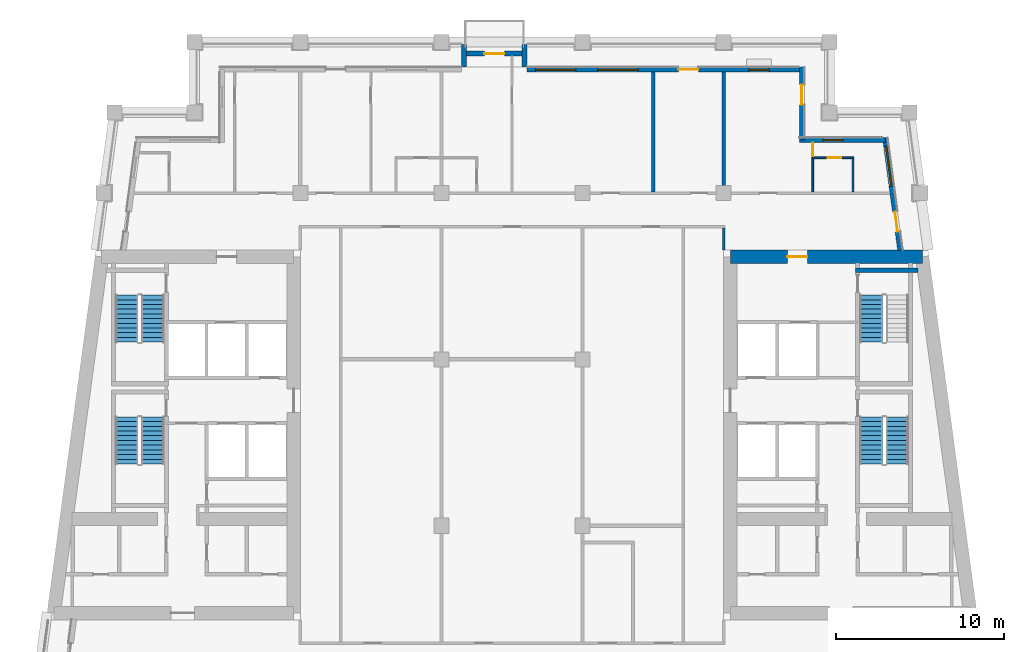
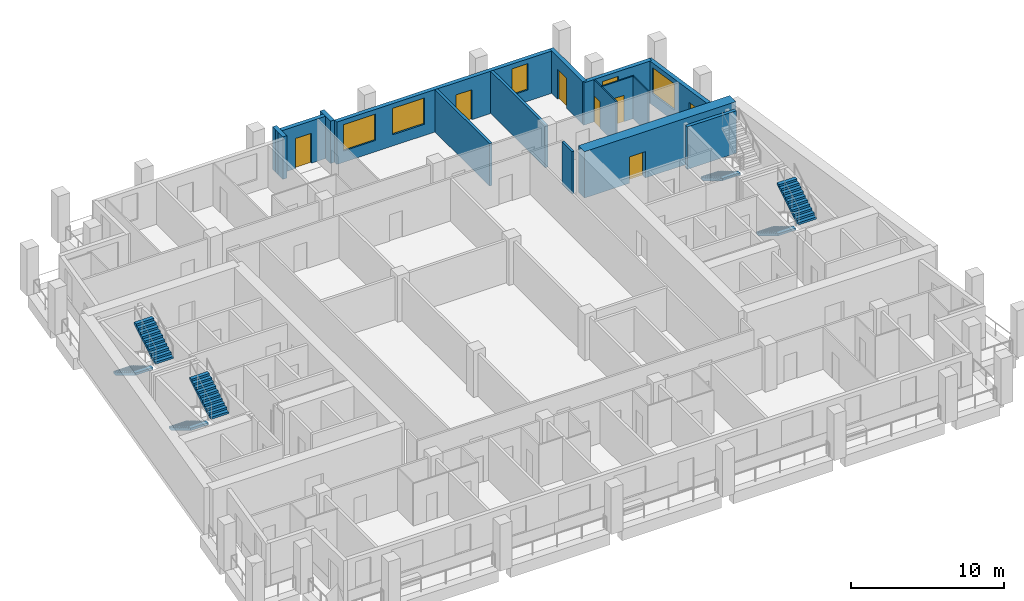
# One storey, part 7 of 13: 15 walls, 7 doors, 7 stair flights, 5 windows, 12 openings, 4 elements without a shape of their own.
"""IFC4 building model written with IfcOpenShell, lengths in metres."""

from ifc_helpers import new_model, si_unit, direction, frame, frame_2d, origin, place, context, subcontext, project, spatial, polyline, rectangle, outline, extrude, material, layer, layer_set, type_object, element, fill, aggregate, save


model = new_model("IFC4")

# Units and contexts
model_context = context("Model", 3, precision=1e-05, world=origin(), true_north=direction((0.0, 1.0)))
body_context = subcontext(model_context, "Body", "Model", "MODEL_VIEW")
ifc_project = project(units=[si_unit("LENGTHUNIT", "METRE"), si_unit("AREAUNIT", "SQUARE_METRE"), si_unit("VOLUMEUNIT", "CUBIC_METRE"), si_unit("PLANEANGLEUNIT", "RADIAN"), si_unit("MASSUNIT", "GRAM", prefix="KILO")], contexts=[model_context])

# Site, building, storey
site_placement = place(None, origin())
site = spatial("IfcSite", under=ifc_project, at=site_placement, CompositionType="ELEMENT")
building_placement = place(site_placement, origin())
building = spatial("IfcBuilding", under=site, at=building_placement, Name="Candeia Pilgrim Tower and Theatre", CompositionType="ELEMENT")
storey_placement = place(building_placement, frame((0.0, 0.0, 239.199951171875)))
storey = spatial("IfcBuildingStorey", under=building, at=storey_placement, Name="L58", CompositionType="ELEMENT", Elevation=239.199951171875)

# Wall, opening, door
ifc_material_1 = material(Name="Concrete C50/60", Category="concrete")
ifc_layer_1 = layer(ifc_material_1, 0.800048828125)
ifc_layer_set_1 = layer_set([ifc_layer_1], Name="Core wall 800 C50/60")
wall_type_1 = type_object("IfcWallType", Name="Core wall 800 C50/60", PredefinedType="SHEAR", material=ifc_layer_set_1)
wall_1_placement = place(storey_placement, frame((126.39990234375, 132.0, 0.0), z_axis=(0.0, 0.0, 1.0), x_axis=(1.0, 0.0, 0.0)))
wall_1 = element("IfcWall", 1, at=wall_1_placement, inside=storey, type_object=wall_type_1, Name="Core wall E1", PredefinedType="SHEAR", context=body_context, shape_type="SweptSolid", body=[
    extrude(rectangle(XDim=11.419677734375, YDim=0.800048828125, at=frame_2d((5.7099609375, 0.0))), origin(), (0.0, 0.0, 1.0), 3.699951171875),
])
opening_1_placement = place(wall_1_placement, frame((3.386474609375, 0.0, 0.0)))
opening_1 = element("IfcOpeningElement", 2, at=opening_1_placement, cuts=wall_1, Name="Opening L58-D060", PredefinedType="OPENING", context=body_context, shape_type="SweptSolid", body=[
    extrude(rectangle(XDim=1.199951171875, YDim=2.10009765625, at=frame_2d((0.60009765625, 1.050048828125))), frame((0.0, 0.41015625, 0.0), z_axis=(0.0, -1.0, 0.0), x_axis=(1.0, 0.0, 0.0)), (0.0, 0.0, 1.0), 0.820068359375),
])
ifc_material_2 = material(Name="Steel fire door set", Category="steel")
door_type_1 = type_object("IfcDoorType", Name="D-1200-FD60", OperationType="NOTDEFINED", PredefinedType="DOOR", material=ifc_material_2)
door_1_placement = place(opening_1_placement, origin())
door_1 = element("IfcDoor", 3, at=door_1_placement, inside=storey, type_object=door_type_1, Name="Door L58-D060", OperationType="SINGLE_SWING_RIGHT", OverallHeight=2.10009765625, OverallWidth=1.199951171875, PredefinedType="DOOR", context=body_context, shape_type="SweptSolid", body=[
    extrude(rectangle(XDim=1.199951171875, YDim=2.10009765625, at=frame_2d((0.60009765625, 1.050048828125))), frame((0.0, 0.02490234375, 0.0), z_axis=(0.0, -1.0, 0.0), x_axis=(1.0, 0.0, 0.0)), (0.0, 0.0, 1.0), 0.050048828125),
])
fill(opening_1, door_1)

# Wall, openings, door, window
ifc_material_3 = material(Name="Ceramic block masonry", Category="masonry")
ifc_layer_2 = layer(ifc_material_3, 0.300048828125)
ifc_layer_set_2 = layer_set([ifc_layer_2], Name="EW1 glazing-line wall 300")
wall_type_2 = type_object("IfcWallType", Name="EW1 glazing-line wall 300", PredefinedType="SOLIDWALL", material=ifc_layer_set_2)
wall_2_placement = place(storey_placement, frame((136.50439453125, 132.39990234375, 0.0), z_axis=(0.0, 0.0, 1.0), x_axis=(-0.133399697462, 0.99106231929, 0.0)))
wall_2 = element("IfcWall", 4, at=wall_2_placement, inside=storey, type_object=wall_type_2, Name="External wall L58-3.1", PredefinedType="SOLIDWALL", context=body_context, shape_type="SweptSolid", body=[
    extrude(rectangle(XDim=6.740478515625, YDim=0.300048828125, at=frame_2d((3.3701171875, 0.0))), origin(), (0.0, 0.0, 1.0), 3.380126953125),
])
opening_2_placement = place(wall_2_placement, frame((1.115234375, 0.0, 0.0)))
opening_2 = element("IfcOpeningElement", 5, at=opening_2_placement, cuts=wall_2, Name="Opening L58-ED559", PredefinedType="OPENING", context=body_context, shape_type="SweptSolid", body=[
    extrude(rectangle(XDim=1.199951171875, YDim=2.39990234375, at=frame_2d((0.60009765625, 1.199951171875))), frame((0.0, 0.16015625, 0.0), z_axis=(0.0, -1.0, 0.0), x_axis=(1.0, 0.0, 0.0)), (0.0, 0.0, 1.0), 0.320068359375),
])
opening_3_placement = place(wall_2_placement, frame((3.83544921875, 0.0, 0.89990234375)))
opening_3 = element("IfcOpeningElement", 6, at=opening_3_placement, cuts=wall_2, Name="Opening W-A", PredefinedType="OPENING", context=body_context, shape_type="SweptSolid", body=[
    extrude(rectangle(XDim=2.39990234375, YDim=2.10009765625, at=frame_2d((1.199951171875, 1.050048828125))), frame((0.0, 0.16015625, 0.0), z_axis=(0.0, -1.0, 0.0), x_axis=(1.0, 0.0, 0.0)), (0.0, 0.0, 1.0), 0.320068359375),
])
ifc_material_4 = material(Name="Aluminium framed glazed door", Category="aluminium")
door_type_2 = type_object("IfcDoorType", Name="Loggia door 1200x2400", OperationType="DOUBLE_DOOR_SINGLE_SWING", PredefinedType="DOOR", material=ifc_material_4)
door_2_placement = place(opening_2_placement, origin())
door_2 = element("IfcDoor", 7, at=door_2_placement, inside=storey, type_object=door_type_2, Name="Loggia door L58-ED559", OperationType="DOUBLE_DOOR_SINGLE_SWING", OverallHeight=2.39990234375, OverallWidth=1.199951171875, PredefinedType="DOOR", context=body_context, shape_type="SweptSolid", body=[
    extrude(rectangle(XDim=1.199951171875, YDim=2.39990234375, at=frame_2d((0.60009765625, 1.199951171875))), frame((0.0, 0.02490234375, 0.0), z_axis=(0.0, -1.0, 0.0), x_axis=(1.0, 0.0, 0.0)), (0.0, 0.0, 1.0), 0.050048828125),
])
fill(opening_2, door_2)
ifc_material_5 = material(Name="Aluminium framed double glazing", Category="aluminium")
window_type_1 = type_object("IfcWindowType", Name="W-A window 2400x2100", PartitioningType="DOUBLE_PANEL_VERTICAL", PredefinedType="WINDOW", material=ifc_material_5)
window_1_placement = place(opening_3_placement, origin())
window_1 = element("IfcWindow", 8, at=window_1_placement, inside=storey, type_object=window_type_1, Name="Window W-A L58", OverallHeight=2.10009765625, OverallWidth=2.39990234375, PartitioningType="SINGLE_PANEL", PredefinedType="WINDOW", context=body_context, shape_type="SweptSolid", body=[
    extrude(rectangle(XDim=2.39990234375, YDim=2.10009765625, at=frame_2d((1.199951171875, 1.050048828125))), frame((0.0, 0.030029296875, 0.0), z_axis=(0.0, -1.0, 0.0), x_axis=(1.0, 0.0, 0.0)), (0.0, 0.0, 1.0), 0.06005859375),
])
fill(opening_3, window_1)

# Wall, opening, window
wall_3_placement = place(storey_placement, frame((135.62255859375, 138.949951171875, 0.0), z_axis=(0.0, 0.0, 1.0), x_axis=(-1.0, 0.0, 0.0)))
wall_3 = element("IfcWall", 9, at=wall_3_placement, inside=storey, type_object=wall_type_2, Name="External wall L58-4.0", PredefinedType="SOLIDWALL", context=body_context, shape_type="SweptSolid", body=[
    extrude(rectangle(XDim=5.12255859375, YDim=0.300048828125, at=frame_2d((2.561279296875, 0.0))), origin(), (0.0, 0.0, 1.0), 3.380126953125),
])
opening_4_placement = place(wall_3_placement, frame((2.522705078125, 0.0, 0.89990234375)))
opening_4 = element("IfcOpeningElement", 10, at=opening_4_placement, cuts=wall_3, Name="Opening W-B", PredefinedType="OPENING", context=body_context, shape_type="SweptSolid", body=[
    extrude(rectangle(XDim=1.199951171875, YDim=2.10009765625, at=frame_2d((0.60009765625, 1.050048828125))), frame((0.0, 0.16015625, 0.0), z_axis=(0.0, -1.0, 0.0), x_axis=(1.0, 0.0, 0.0)), (0.0, 0.0, 1.0), 0.320068359375),
])
window_type_2 = type_object("IfcWindowType", Name="W-B window 1200x2100", PartitioningType="SINGLE_PANEL", PredefinedType="WINDOW", material=ifc_material_5)
window_2_placement = place(opening_4_placement, origin())
window_2 = element("IfcWindow", 11, at=window_2_placement, inside=storey, type_object=window_type_2, Name="Window W-B L58", OverallHeight=2.10009765625, OverallWidth=1.199951171875, PartitioningType="SINGLE_PANEL", PredefinedType="WINDOW", context=body_context, shape_type="SweptSolid", body=[
    extrude(rectangle(XDim=1.199951171875, YDim=2.10009765625, at=frame_2d((0.60009765625, 1.050048828125))), frame((0.0, 0.030029296875, 0.0), z_axis=(0.0, -1.0, 0.0), x_axis=(1.0, 0.0, 0.0)), (0.0, 0.0, 1.0), 0.06005859375),
])
fill(opening_4, window_2)

# Wall, opening, door
wall_4_placement = place(storey_placement, frame((130.64990234375, 138.949951171875, 0.0), z_axis=(0.0, 0.0, 1.0), x_axis=(0.0, 1.0, 0.0)))
wall_4 = element("IfcWall", 12, at=wall_4_placement, inside=storey, type_object=wall_type_2, Name="External wall L58-5.0", PredefinedType="SOLIDWALL", context=body_context, shape_type="SweptSolid", body=[
    extrude(rectangle(XDim=4.35009765625, YDim=0.300048828125, at=frame_2d((2.175048828125, 0.0))), origin(), (0.0, 0.0, 1.0), 3.380126953125),
])
opening_5_placement = place(wall_4_placement, frame((2.10009765625, 0.0, 0.0)))
opening_5 = element("IfcOpeningElement", 13, at=opening_5_placement, cuts=wall_4, Name="Opening L58-ED560", PredefinedType="OPENING", context=body_context, shape_type="SweptSolid", body=[
    extrude(rectangle(XDim=1.199951171875, YDim=2.39990234375, at=frame_2d((0.60009765625, 1.199951171875))), frame((0.0, 0.16015625, 0.0), z_axis=(0.0, -1.0, 0.0), x_axis=(1.0, 0.0, 0.0)), (0.0, 0.0, 1.0), 0.320068359375),
])
door_3_placement = place(opening_5_placement, origin())
door_3 = element("IfcDoor", 14, at=door_3_placement, inside=storey, type_object=door_type_2, Name="Loggia door L58-ED560", OperationType="DOUBLE_DOOR_SINGLE_SWING", OverallHeight=2.39990234375, OverallWidth=1.199951171875, PredefinedType="DOOR", context=body_context, shape_type="SweptSolid", body=[
    extrude(rectangle(XDim=1.199951171875, YDim=2.39990234375, at=frame_2d((0.60009765625, 1.199951171875))), frame((0.0, 0.02490234375, 0.0), z_axis=(0.0, -1.0, 0.0), x_axis=(1.0, 0.0, 0.0)), (0.0, 0.0, 1.0), 0.050048828125),
])
fill(opening_5, door_3)

# Wall, openings, door, windows
wall_5_placement = place(storey_placement, frame((130.64990234375, 143.14990234375, 0.0), z_axis=(0.0, 0.0, 1.0), x_axis=(-1.0, 0.0, 0.0)))
wall_5 = element("IfcWall", 15, at=wall_5_placement, inside=storey, type_object=wall_type_2, Name="External wall L58-6.0", PredefinedType="SOLIDWALL", context=body_context, shape_type="SweptSolid", body=[
    extrude(rectangle(XDim=16.349853515625, YDim=0.300048828125, at=frame_2d((8.1748046875, 0.0))), origin(), (0.0, 0.0, 1.0), 3.380126953125),
])
opening_6_placement = place(wall_5_placement, frame((1.949951171875, 0.0, 0.89990234375)))
opening_6 = element("IfcOpeningElement", 16, at=opening_6_placement, cuts=wall_5, Name="Opening W-B", PredefinedType="OPENING", context=body_context, shape_type="SweptSolid", body=[
    extrude(rectangle(XDim=1.199951171875, YDim=2.10009765625, at=frame_2d((0.60009765625, 1.050048828125))), frame((0.0, 0.16015625, 0.0), z_axis=(0.0, -1.0, 0.0), x_axis=(1.0, 0.0, 0.0)), (0.0, 0.0, 1.0), 0.320068359375),
])
opening_7_placement = place(wall_5_placement, frame((6.14990234375, 0.0, 0.0)))
opening_7 = element("IfcOpeningElement", 17, at=opening_7_placement, cuts=wall_5, Name="Opening L58-ED561", PredefinedType="OPENING", context=body_context, shape_type="SweptSolid", body=[
    extrude(rectangle(XDim=1.199951171875, YDim=2.39990234375, at=frame_2d((0.60009765625, 1.199951171875))), frame((0.0, 0.16015625, 0.0), z_axis=(0.0, -1.0, 0.0), x_axis=(1.0, 0.0, 0.0)), (0.0, 0.0, 1.0), 0.320068359375),
])
opening_8_placement = place(wall_5_placement, frame((9.75, 0.0, 0.89990234375)))
opening_8 = element("IfcOpeningElement", 18, at=opening_8_placement, cuts=wall_5, Name="Opening W-A", PredefinedType="OPENING", context=body_context, shape_type="SweptSolid", body=[
    extrude(rectangle(XDim=2.39990234375, YDim=2.10009765625, at=frame_2d((1.199951171875, 1.050048828125))), frame((0.0, 0.16015625, 0.0), z_axis=(0.0, -1.0, 0.0), x_axis=(1.0, 0.0, 0.0)), (0.0, 0.0, 1.0), 0.320068359375),
])
opening_9_placement = place(wall_5_placement, frame((13.449951171875, 0.0, 0.89990234375)))
opening_9 = element("IfcOpeningElement", 19, at=opening_9_placement, cuts=wall_5, Name="Opening W-A", PredefinedType="OPENING", context=body_context, shape_type="SweptSolid", body=[
    extrude(rectangle(XDim=2.39990234375, YDim=2.10009765625, at=frame_2d((1.199951171875, 1.050048828125))), frame((0.0, 0.16015625, 0.0), z_axis=(0.0, -1.0, 0.0), x_axis=(1.0, 0.0, 0.0)), (0.0, 0.0, 1.0), 0.320068359375),
])
door_4_placement = place(opening_7_placement, origin())
door_4 = element("IfcDoor", 20, at=door_4_placement, inside=storey, type_object=door_type_2, Name="Loggia door L58-ED561", OperationType="DOUBLE_DOOR_SINGLE_SWING", OverallHeight=2.39990234375, OverallWidth=1.199951171875, PredefinedType="DOOR", context=body_context, shape_type="SweptSolid", body=[
    extrude(rectangle(XDim=1.199951171875, YDim=2.39990234375, at=frame_2d((0.60009765625, 1.199951171875))), frame((0.0, 0.02490234375, 0.0), z_axis=(0.0, -1.0, 0.0), x_axis=(1.0, 0.0, 0.0)), (0.0, 0.0, 1.0), 0.050048828125),
])
fill(opening_7, door_4)
window_3_placement = place(opening_8_placement, origin())
window_3 = element("IfcWindow", 21, at=window_3_placement, inside=storey, type_object=window_type_1, Name="Window W-A L58", OverallHeight=2.10009765625, OverallWidth=2.39990234375, PartitioningType="SINGLE_PANEL", PredefinedType="WINDOW", context=body_context, shape_type="SweptSolid", body=[
    extrude(rectangle(XDim=2.39990234375, YDim=2.10009765625, at=frame_2d((1.199951171875, 1.050048828125))), frame((0.0, 0.030029296875, 0.0), z_axis=(0.0, -1.0, 0.0), x_axis=(1.0, 0.0, 0.0)), (0.0, 0.0, 1.0), 0.06005859375),
])
fill(opening_8, window_3)
window_4_placement = place(opening_9_placement, origin())
window_4 = element("IfcWindow", 22, at=window_4_placement, inside=storey, type_object=window_type_1, Name="Window W-A L58", OverallHeight=2.10009765625, OverallWidth=2.39990234375, PartitioningType="SINGLE_PANEL", PredefinedType="WINDOW", context=body_context, shape_type="SweptSolid", body=[
    extrude(rectangle(XDim=2.39990234375, YDim=2.10009765625, at=frame_2d((1.199951171875, 1.050048828125))), frame((0.0, 0.030029296875, 0.0), z_axis=(0.0, -1.0, 0.0), x_axis=(1.0, 0.0, 0.0)), (0.0, 0.0, 1.0), 0.06005859375),
])
fill(opening_9, window_4)
window_5_placement = place(opening_6_placement, origin())
window_5 = element("IfcWindow", 23, at=window_5_placement, inside=storey, type_object=window_type_2, Name="Window W-B L58", OverallHeight=2.10009765625, OverallWidth=1.199951171875, PartitioningType="SINGLE_PANEL", PredefinedType="WINDOW", context=body_context, shape_type="SweptSolid", body=[
    extrude(rectangle(XDim=1.199951171875, YDim=2.10009765625, at=frame_2d((0.60009765625, 1.050048828125))), frame((0.0, 0.030029296875, 0.0), z_axis=(0.0, -1.0, 0.0), x_axis=(1.0, 0.0, 0.0)), (0.0, 0.0, 1.0), 0.06005859375),
])
fill(opening_6, window_5)

# Walls
ifc_layer_3 = layer(ifc_material_3, 0.300048828125)
ifc_layer_set_3 = layer_set([ifc_layer_3], Name="EW2 entrance infill wall 300")
wall_type_3 = type_object("IfcWallType", Name="EW2 entrance infill wall 300", PredefinedType="SOLIDWALL", material=ifc_layer_set_3)
for number, where, z_axis, x_axis, name in (
    (24, (114.14990234375, 143.300048828125, 0.0), (0.0, 0.0, 1.0), (0.0, 1.0, 0.0), "Alcove wall L58"),
    (25, (110.550048828125, 143.300048828125, 0.0), (0.0, 0.0, 1.0), (0.0, 1.0, 0.0), "Alcove wall L58"),
):
    element("IfcWall", number, at=place(storey_placement, frame(where, z_axis=z_axis, x_axis=x_axis)), inside=storey, type_object=wall_type_3, Name=name, PredefinedType="SOLIDWALL", context=body_context, shape_type="SweptSolid", body=[
        extrude(rectangle(XDim=1.349853515625, YDim=0.300048828125, at=frame_2d((0.6748046875, 0.0))), origin(), (0.0, 0.0, 1.0), 3.380126953125),
    ])

# Wall, opening, door
wall_6_placement = place(storey_placement, frame((114.300048828125, 144.10009765625, 0.0), z_axis=(0.0, 0.0, 1.0), x_axis=(-1.0, 0.0, 0.0)))
wall_6 = element("IfcWall", 26, at=wall_6_placement, inside=storey, type_object=wall_type_3, Name="Alcove wall L58", PredefinedType="SOLIDWALL", context=body_context, shape_type="SweptSolid", body=[
    extrude(rectangle(XDim=3.900146484375, YDim=0.300048828125, at=frame_2d((1.9501953125, 0.0))), origin(), (0.0, 0.0, 1.0), 3.380126953125),
])
opening_10_placement = place(wall_6_placement, frame((1.35009765625, 0.0, 0.0)))
opening_10 = element("IfcOpeningElement", 27, at=opening_10_placement, cuts=wall_6, Name="Opening L58-ED563", PredefinedType="OPENING", context=body_context, shape_type="SweptSolid", body=[
    extrude(rectangle(XDim=1.199951171875, YDim=2.39990234375, at=frame_2d((0.60009765625, 1.199951171875))), frame((0.0, 0.16015625, 0.0), z_axis=(0.0, -1.0, 0.0), x_axis=(1.0, 0.0, 0.0)), (0.0, 0.0, 1.0), 0.320068359375),
])
door_5_placement = place(opening_10_placement, origin())
door_5 = element("IfcDoor", 28, at=door_5_placement, inside=storey, type_object=door_type_2, Name="Balcony door L58-ED563", OperationType="DOUBLE_DOOR_SINGLE_SWING", OverallHeight=2.39990234375, OverallWidth=1.199951171875, PredefinedType="DOOR", context=body_context, shape_type="SweptSolid", body=[
    extrude(rectangle(XDim=1.199951171875, YDim=2.39990234375, at=frame_2d((0.60009765625, 1.199951171875))), frame((0.0, 0.02490234375, 0.0), z_axis=(0.0, -1.0, 0.0), x_axis=(1.0, 0.0, 0.0)), (0.0, 0.0, 1.0), 0.050048828125),
])
fill(opening_10, door_5)

ifc_material_6 = material(Name="Gypsum board partition on steel studs", Category="steel")
ifc_layer_4 = layer(ifc_material_6, 0.10009765625)
ifc_layer_set_4 = layer_set([ifc_layer_4], Name="PW-100 room partition")
wall_type_4 = type_object("IfcWallType", Name="PW-100 room partition", PredefinedType="PARTITIONING", material=ifc_layer_set_4)
wall_7_placement = place(storey_placement, frame((131.300048828125, 137.89990234375, 0.0), z_axis=(0.0, 0.0, 1.0), x_axis=(1.0, 0.0, 0.0)))
wall_7 = element("IfcWall", 29, at=wall_7_placement, inside=storey, type_object=wall_type_4, Name="Room partition L58-045", PredefinedType="PARTITIONING", context=body_context, shape_type="SweptSolid", body=[
    extrude(rectangle(XDim=2.449951171875, YDim=0.10009765625, at=frame_2d((1.22509765625, 0.0))), origin(), (0.0, 0.0, 1.0), 3.380126953125),
])
opening_11_placement = place(wall_7_placement, frame((0.889892578125, 0.0, 0.0)))
opening_11 = element("IfcOpeningElement", 30, at=opening_11_placement, cuts=wall_7, Name="Opening L58-D048", PredefinedType="OPENING", context=body_context, shape_type="SweptSolid", body=[
    extrude(rectangle(XDim=0.800048828125, YDim=2.10009765625, at=frame_2d((0.39990234375, 1.050048828125))), frame((0.0, 0.06005859375, 0.0), z_axis=(0.0, -1.0, 0.0), x_axis=(1.0, 0.0, 0.0)), (0.0, 0.0, 1.0), 0.1201171875),
])
ifc_material_7 = material(Name="Timber door leaf", Category="wood")
door_type_3 = type_object("IfcDoorType", Name="D-800", OperationType="NOTDEFINED", PredefinedType="DOOR", material=ifc_material_7)
door_6_placement = place(opening_11_placement, origin())
door_6 = element("IfcDoor", 31, at=door_6_placement, inside=storey, type_object=door_type_3, Name="Door L58-D048", OperationType="SINGLE_SWING_RIGHT", OverallHeight=2.10009765625, OverallWidth=0.800048828125, PredefinedType="DOOR", context=body_context, shape_type="SweptSolid", body=[
    extrude(rectangle(XDim=0.800048828125, YDim=2.10009765625, at=frame_2d((0.39990234375, 1.050048828125))), frame((0.0, 0.02490234375, 0.0), z_axis=(0.0, -1.0, 0.0), x_axis=(1.0, 0.0, 0.0)), (0.0, 0.0, 1.0), 0.050048828125),
])
fill(opening_11, door_6)

wall_8_placement = place(storey_placement, frame((131.300048828125, 135.875, 0.0), z_axis=(0.0, 0.0, 1.0), x_axis=(0.0, 1.0, 0.0)))
wall_8 = element("IfcWall", 32, at=wall_8_placement, inside=storey, type_object=wall_type_4, Name="Room partition L58-101", PredefinedType="PARTITIONING", context=body_context, shape_type="SweptSolid", body=[
    extrude(rectangle(XDim=2.93505859375, YDim=0.10009765625, at=frame_2d((1.467529296875, 0.0))), origin(), (0.0, 0.0, 1.0), 3.380126953125),
])
opening_12_placement = place(wall_8_placement, frame((2.10498046875, 0.0, 0.0)))
opening_12 = element("IfcOpeningElement", 33, at=opening_12_placement, cuts=wall_8, Name="Opening L58-D047", PredefinedType="OPENING", context=body_context, shape_type="SweptSolid", body=[
    extrude(rectangle(XDim=0.800048828125, YDim=2.10009765625, at=frame_2d((0.39990234375, 1.050048828125))), frame((0.0, 0.06005859375, 0.0), z_axis=(0.0, -1.0, 0.0), x_axis=(1.0, 0.0, 0.0)), (0.0, 0.0, 1.0), 0.1201171875),
])
door_7_placement = place(opening_12_placement, origin())
door_7 = element("IfcDoor", 34, at=door_7_placement, inside=storey, type_object=door_type_3, Name="Door L58-D047", OperationType="SINGLE_SWING_LEFT", OverallHeight=2.10009765625, OverallWidth=0.800048828125, PredefinedType="DOOR", context=body_context, shape_type="SweptSolid", body=[
    extrude(rectangle(XDim=0.800048828125, YDim=2.10009765625, at=frame_2d((0.39990234375, 1.050048828125))), frame((0.0, 0.02490234375, 0.0), z_axis=(0.0, -1.0, 0.0), x_axis=(1.0, 0.0, 0.0)), (0.0, 0.0, 1.0), 0.050048828125),
])
fill(opening_12, door_7)

# Walls
wall_9_placement = place(storey_placement, frame((133.699951171875, 135.875, 0.0), z_axis=(0.0, 0.0, 1.0), x_axis=(0.0, 1.0, 0.0)))
element("IfcWall", 35, at=wall_9_placement, inside=storey, type_object=wall_type_4, Name="Room partition L58-107", PredefinedType="PARTITIONING", context=body_context, shape_type="SweptSolid", body=[
    extrude(rectangle(XDim=1.97509765625, YDim=0.10009765625, at=frame_2d((0.987548828125, 0.0))), origin(), (0.0, 0.0, 1.0), 3.380126953125),
])
ifc_layer_5 = layer(ifc_material_6, 0.14990234375)
ifc_layer_set_5 = layer_set([ifc_layer_5], Name="PW-150 unit wall")
wall_type_5 = type_object("IfcWallType", Name="PW-150 unit wall", PredefinedType="PARTITIONING", material=ifc_layer_set_5)
wall_10_placement = place(storey_placement, frame((126.0, 132.39990234375, 0.0), z_axis=(0.0, 0.0, 1.0), x_axis=(0.0, 1.0, 0.0)))
element("IfcWall", 36, at=wall_10_placement, inside=storey, type_object=wall_type_5, Name="Unit wall L58-096", PredefinedType="PARTITIONING", context=body_context, shape_type="SweptSolid", body=[
    extrude(rectangle(XDim=1.3251953125, YDim=0.14990234375, at=frame_2d((0.66259765625, 0.0))), origin(), (0.0, 0.0, 1.0), 3.380126953125),
])
ifc_layer_6 = layer(ifc_material_6, 0.199951171875)
ifc_layer_set_6 = layer_set([ifc_layer_6], Name="PW-200 party wall")
wall_type_6 = type_object("IfcWallType", Name="PW-200 party wall", PredefinedType="PARTITIONING", material=ifc_layer_set_6)
for number, where, z_axis, x_axis, name in (
    (37, (121.800048828125, 135.875, 0.0), (0.0, 0.0, 1.0), (0.0, 1.0, 0.0), "Party wall L58-092"),
    (38, (126.0, 135.875, 0.0), (0.0, 0.0, 1.0), (0.0, 1.0, 0.0), "Party wall L58-094"),
):
    element("IfcWall", number, at=place(storey_placement, frame(where, z_axis=z_axis, x_axis=x_axis)), inside=storey, type_object=wall_type_6, Name=name, PredefinedType="PARTITIONING", context=body_context, shape_type="SweptSolid", body=[
        extrude(rectangle(XDim=7.135009765625, YDim=0.199951171875, at=frame_2d((3.5673828125, 0.0))), origin(), (0.0, 0.0, 1.0), 3.380126953125),
    ])
ifc_material_8 = material(Name="Concrete C40/50", Category="concrete")
ifc_layer_7 = layer(ifc_material_8, 0.25)
ifc_layer_set_7 = layer_set([ifc_layer_7], Name="SW-250 stair wall")
wall_type_7 = type_object("IfcWallType", Name="SW-250 stair wall", PredefinedType="PARTITIONING", material=ifc_layer_set_7)
wall_11_placement = place(storey_placement, frame((133.847900390625, 131.199951171875, 0.0), z_axis=(0.0, 0.0, 1.0), x_axis=(1.0, 0.0, 0.0)))
element("IfcWall", 39, at=wall_11_placement, inside=storey, type_object=wall_type_7, Name="Stair wall L58-041", PredefinedType="PARTITIONING", context=body_context, shape_type="SweptSolid", body=[
    extrude(rectangle(XDim=3.705810546875, YDim=0.25, at=frame_2d((1.85302734375, 0.0))), origin(), (0.0, 0.0, 1.0), 3.380126953125),
])

# Stair, stair flights
stair_type = type_object("IfcStairType", Name="ST-TWR dog-leg escape stair", PredefinedType="HALF_TURN_STAIR", material=ifc_material_8)
stair_1_placement = place(storey_placement, origin())
stair_1 = element("IfcStair", 40, at=stair_1_placement, inside=storey, type_object=stair_type, Name="L58 Escape stair ST1", PredefinedType="HALF_TURN_STAIR")
stair_flight_type = type_object("IfcStairFlightType", Name="SFL-RC stair flight", PredefinedType="STRAIGHT", material=ifc_material_8)
stair_flight_1_placement = place(storey_placement, frame((90.47705078125, 122.47509765625, 0.0), z_axis=(0.0, 0.0, 1.0), x_axis=(0.0, -1.0, 0.0)))
stair_flight_1 = element("IfcStairFlight", 41, at=stair_flight_1_placement, type_object=stair_flight_type, Name="ST1 flight 1", NumberOfRisers=11, NumberOfTreads=10, PredefinedType="STRAIGHT", RiserHeight=0.168181818, TreadLength=0.28, context=body_context, shape_type="SweptSolid", body=[
    extrude(outline(polyline([(0.0, 0.0), (0.0, 0.168212890625), (0.280029296875, 0.168212890625), (0.280029296875, 0.33642578125), (0.56005859375, 0.33642578125), (0.56005859375, 0.504638671875), (0.840087890625, 0.504638671875), (0.840087890625, 0.672607421875), (1.1201171875, 0.672607421875), (1.1201171875, 0.8408203125), (1.39990234375, 0.8408203125), (1.39990234375, 1.009033203125), (1.679931640625, 1.009033203125), (1.679931640625, 1.17724609375), (1.9599609375, 1.17724609375), (1.9599609375, 1.345458984375), (2.239990234375, 1.345458984375), (2.239990234375, 1.513671875), (2.52001953125, 1.513671875), (2.52001953125, 1.681884765625), (2.800048828125, 1.681884765625), (2.800048828125, 1.85009765625), (2.800048828125, 1.5068359375), (0.291015625, 0.0), (0.0, 0.0)])), frame((0.0, 0.675048828125, 0.0), z_axis=(0.0, -1.0, 0.0), x_axis=(1.0, 0.0, 0.0)), (0.0, 0.0, 1.0), 1.35009765625),
])
stair_flight_2_placement = place(storey_placement, frame((92.027099609375, 119.675048828125, 1.85009765625), z_axis=(0.0, 0.0, 1.0), x_axis=(0.0, 1.0, 0.0)))
stair_flight_2 = element("IfcStairFlight", 42, at=stair_flight_2_placement, type_object=stair_flight_type, Name="ST1 flight 2", NumberOfRisers=11, NumberOfTreads=10, PredefinedType="STRAIGHT", RiserHeight=0.168181818, TreadLength=0.28, context=body_context, shape_type="SweptSolid", body=[
    extrude(outline(polyline([(0.0, 0.0), (0.0, 0.168212890625), (0.280029296875, 0.168212890625), (0.280029296875, 0.33642578125), (0.56005859375, 0.33642578125), (0.56005859375, 0.504638671875), (0.840087890625, 0.504638671875), (0.840087890625, 0.672607421875), (1.1201171875, 0.672607421875), (1.1201171875, 0.8408203125), (1.39990234375, 0.8408203125), (1.39990234375, 1.009033203125), (1.679931640625, 1.009033203125), (1.679931640625, 1.17724609375), (1.9599609375, 1.17724609375), (1.9599609375, 1.345458984375), (2.239990234375, 1.345458984375), (2.239990234375, 1.513671875), (2.52001953125, 1.513671875), (2.52001953125, 1.681884765625), (2.800048828125, 1.681884765625), (2.800048828125, 1.85009765625), (2.800048828125, 1.5068359375), (0.291015625, 0.0), (0.0, 0.0)])), frame((0.0, 0.675048828125, 0.0), z_axis=(0.0, -1.0, 0.0), x_axis=(1.0, 0.0, 0.0)), (0.0, 0.0, 1.0), 1.35009765625),
])
aggregate(stair_1, [stair_flight_1, stair_flight_2])

stair_2_placement = place(storey_placement, origin())
stair_2 = element("IfcStair", 43, at=stair_2_placement, inside=storey, type_object=stair_type, Name="L58 Escape stair ST2", PredefinedType="HALF_TURN_STAIR")
stair_flight_3_placement = place(storey_placement, frame((90.47705078125, 129.72509765625, 0.0), z_axis=(0.0, 0.0, 1.0), x_axis=(0.0, -1.0, 0.0)))
stair_flight_3 = element("IfcStairFlight", 44, at=stair_flight_3_placement, type_object=stair_flight_type, Name="ST2 flight 1", NumberOfRisers=11, NumberOfTreads=10, PredefinedType="STRAIGHT", RiserHeight=0.168181818, TreadLength=0.28, context=body_context, shape_type="SweptSolid", body=[
    extrude(outline(polyline([(0.0, 0.0), (0.0, 0.168212890625), (0.280029296875, 0.168212890625), (0.280029296875, 0.33642578125), (0.56005859375, 0.33642578125), (0.56005859375, 0.504638671875), (0.840087890625, 0.504638671875), (0.840087890625, 0.672607421875), (1.1201171875, 0.672607421875), (1.1201171875, 0.8408203125), (1.39990234375, 0.8408203125), (1.39990234375, 1.009033203125), (1.679931640625, 1.009033203125), (1.679931640625, 1.17724609375), (1.9599609375, 1.17724609375), (1.9599609375, 1.345458984375), (2.239990234375, 1.345458984375), (2.239990234375, 1.513671875), (2.52001953125, 1.513671875), (2.52001953125, 1.681884765625), (2.800048828125, 1.681884765625), (2.800048828125, 1.85009765625), (2.800048828125, 1.5068359375), (0.291015625, 0.0), (0.0, 0.0)])), frame((0.0, 0.675048828125, 0.0), z_axis=(0.0, -1.0, 0.0), x_axis=(1.0, 0.0, 0.0)), (0.0, 0.0, 1.0), 1.35009765625),
])
stair_flight_4_placement = place(storey_placement, frame((92.027099609375, 126.925048828125, 1.85009765625), z_axis=(0.0, 0.0, 1.0), x_axis=(0.0, 1.0, 0.0)))
stair_flight_4 = element("IfcStairFlight", 45, at=stair_flight_4_placement, type_object=stair_flight_type, Name="ST2 flight 2", NumberOfRisers=11, NumberOfTreads=10, PredefinedType="STRAIGHT", RiserHeight=0.168181818, TreadLength=0.28, context=body_context, shape_type="SweptSolid", body=[
    extrude(outline(polyline([(0.0, 0.0), (0.0, 0.168212890625), (0.280029296875, 0.168212890625), (0.280029296875, 0.33642578125), (0.56005859375, 0.33642578125), (0.56005859375, 0.504638671875), (0.840087890625, 0.504638671875), (0.840087890625, 0.672607421875), (1.1201171875, 0.672607421875), (1.1201171875, 0.8408203125), (1.39990234375, 0.8408203125), (1.39990234375, 1.009033203125), (1.679931640625, 1.009033203125), (1.679931640625, 1.17724609375), (1.9599609375, 1.17724609375), (1.9599609375, 1.345458984375), (2.239990234375, 1.345458984375), (2.239990234375, 1.513671875), (2.52001953125, 1.513671875), (2.52001953125, 1.681884765625), (2.800048828125, 1.681884765625), (2.800048828125, 1.85009765625), (2.800048828125, 1.5068359375), (0.291015625, 0.0), (0.0, 0.0)])), frame((0.0, 0.675048828125, 0.0), z_axis=(0.0, -1.0, 0.0), x_axis=(1.0, 0.0, 0.0)), (0.0, 0.0, 1.0), 1.35009765625),
])
aggregate(stair_2, [stair_flight_3, stair_flight_4])

stair_3_placement = place(storey_placement, origin())
stair_3 = element("IfcStair", 46, at=stair_3_placement, inside=storey, type_object=stair_type, Name="L58 Escape stair ST3", PredefinedType="HALF_TURN_STAIR")
stair_flight_5_placement = place(storey_placement, frame((134.77294921875, 122.47509765625, 0.0), z_axis=(0.0, 0.0, 1.0), x_axis=(0.0, -1.0, 0.0)))
stair_flight_5 = element("IfcStairFlight", 47, at=stair_flight_5_placement, type_object=stair_flight_type, Name="ST3 flight 1", NumberOfRisers=11, NumberOfTreads=10, PredefinedType="STRAIGHT", RiserHeight=0.168181818, TreadLength=0.28, context=body_context, shape_type="SweptSolid", body=[
    extrude(outline(polyline([(0.0, 0.0), (0.0, 0.168212890625), (0.280029296875, 0.168212890625), (0.280029296875, 0.33642578125), (0.56005859375, 0.33642578125), (0.56005859375, 0.504638671875), (0.840087890625, 0.504638671875), (0.840087890625, 0.672607421875), (1.1201171875, 0.672607421875), (1.1201171875, 0.8408203125), (1.39990234375, 0.8408203125), (1.39990234375, 1.009033203125), (1.679931640625, 1.009033203125), (1.679931640625, 1.17724609375), (1.9599609375, 1.17724609375), (1.9599609375, 1.345458984375), (2.239990234375, 1.345458984375), (2.239990234375, 1.513671875), (2.52001953125, 1.513671875), (2.52001953125, 1.681884765625), (2.800048828125, 1.681884765625), (2.800048828125, 1.85009765625), (2.800048828125, 1.5068359375), (0.291015625, 0.0), (0.0, 0.0)])), frame((0.0, 0.675048828125, 0.0), z_axis=(0.0, -1.0, 0.0), x_axis=(1.0, 0.0, 0.0)), (0.0, 0.0, 1.0), 1.35009765625),
])
stair_flight_6_placement = place(storey_placement, frame((136.322998046875, 119.675048828125, 1.85009765625), z_axis=(0.0, 0.0, 1.0), x_axis=(0.0, 1.0, 0.0)))
stair_flight_6 = element("IfcStairFlight", 48, at=stair_flight_6_placement, type_object=stair_flight_type, Name="ST3 flight 2", NumberOfRisers=11, NumberOfTreads=10, PredefinedType="STRAIGHT", RiserHeight=0.168181818, TreadLength=0.28, context=body_context, shape_type="SweptSolid", body=[
    extrude(outline(polyline([(0.0, 0.0), (0.0, 0.168212890625), (0.280029296875, 0.168212890625), (0.280029296875, 0.33642578125), (0.56005859375, 0.33642578125), (0.56005859375, 0.504638671875), (0.840087890625, 0.504638671875), (0.840087890625, 0.672607421875), (1.1201171875, 0.672607421875), (1.1201171875, 0.8408203125), (1.39990234375, 0.8408203125), (1.39990234375, 1.009033203125), (1.679931640625, 1.009033203125), (1.679931640625, 1.17724609375), (1.9599609375, 1.17724609375), (1.9599609375, 1.345458984375), (2.239990234375, 1.345458984375), (2.239990234375, 1.513671875), (2.52001953125, 1.513671875), (2.52001953125, 1.681884765625), (2.800048828125, 1.681884765625), (2.800048828125, 1.85009765625), (2.800048828125, 1.5068359375), (0.291015625, 0.0), (0.0, 0.0)])), frame((0.0, 0.675048828125, 0.0), z_axis=(0.0, -1.0, 0.0), x_axis=(1.0, 0.0, 0.0)), (0.0, 0.0, 1.0), 1.35009765625),
])
aggregate(stair_3, [stair_flight_5, stair_flight_6])

# Stair, stair flight
stair_4_placement = place(storey_placement, origin())
stair_4 = element("IfcStair", 49, at=stair_4_placement, inside=storey, type_object=stair_type, Name="L58 Escape stair ST4", PredefinedType="HALF_TURN_STAIR")
stair_flight_7_placement = place(storey_placement, frame((134.77294921875, 129.72509765625, 0.0), z_axis=(0.0, 0.0, 1.0), x_axis=(0.0, -1.0, 0.0)))
stair_flight_7 = element("IfcStairFlight", 50, at=stair_flight_7_placement, type_object=stair_flight_type, Name="ST4 flight 1", NumberOfRisers=11, NumberOfTreads=10, PredefinedType="STRAIGHT", RiserHeight=0.168181818, TreadLength=0.28, context=body_context, shape_type="SweptSolid", body=[
    extrude(outline(polyline([(0.0, 0.0), (0.0, 0.168212890625), (0.280029296875, 0.168212890625), (0.280029296875, 0.33642578125), (0.56005859375, 0.33642578125), (0.56005859375, 0.504638671875), (0.840087890625, 0.504638671875), (0.840087890625, 0.672607421875), (1.1201171875, 0.672607421875), (1.1201171875, 0.8408203125), (1.39990234375, 0.8408203125), (1.39990234375, 1.009033203125), (1.679931640625, 1.009033203125), (1.679931640625, 1.17724609375), (1.9599609375, 1.17724609375), (1.9599609375, 1.345458984375), (2.239990234375, 1.345458984375), (2.239990234375, 1.513671875), (2.52001953125, 1.513671875), (2.52001953125, 1.681884765625), (2.800048828125, 1.681884765625), (2.800048828125, 1.85009765625), (2.800048828125, 1.5068359375), (0.291015625, 0.0), (0.0, 0.0)])), frame((0.0, 0.675048828125, 0.0), z_axis=(0.0, -1.0, 0.0), x_axis=(1.0, 0.0, 0.0)), (0.0, 0.0, 1.0), 1.35009765625),
])
aggregate(stair_4, [stair_flight_7])

save(model, "model.ifc")
